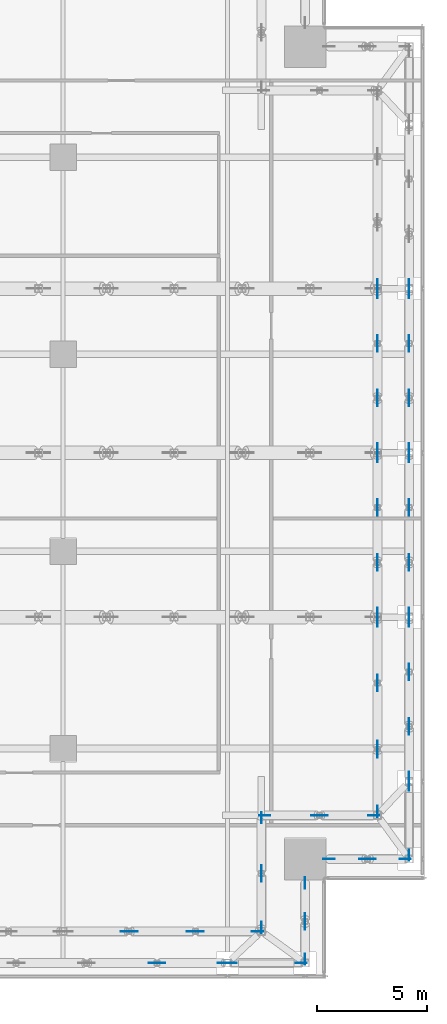
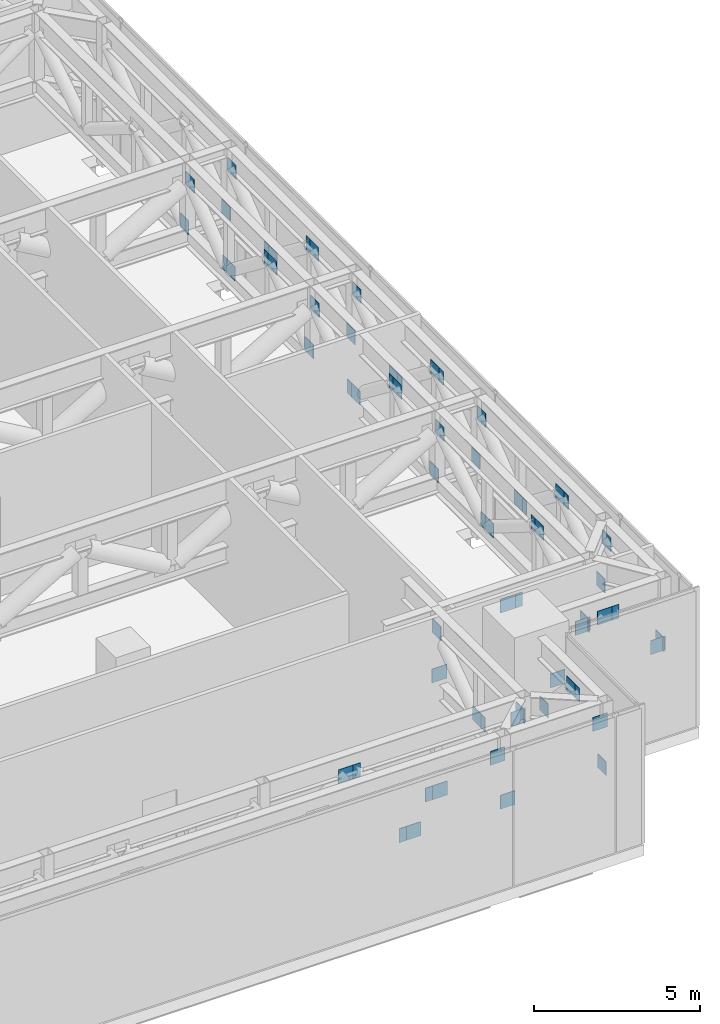
# One storey, part 33 of 36: 66 discrete accessories.
"""IFC4 building model written with IfcOpenShell, lengths in metres."""

from ifc_helpers import new_model, si_unit, direction, frame, origin, origin_2d, place, context, subcontext, project, spatial, rectangle, extrude, source, transform, mapped, material, layer, layer_set, type_object, element, save


model = new_model("IFC4")

# Units and contexts
model_context = context("Model", 3, precision=1e-05, world=origin(), true_north=direction((0.0, 1.0)))
body_context = subcontext(model_context, "Body", "Model", "MODEL_VIEW")
ifc_project = project(units=[si_unit("LENGTHUNIT", "METRE"), si_unit("AREAUNIT", "SQUARE_METRE"), si_unit("VOLUMEUNIT", "CUBIC_METRE"), si_unit("PLANEANGLEUNIT", "RADIAN"), si_unit("MASSUNIT", "GRAM", prefix="KILO")], contexts=[model_context])

# Site, building, storey
site_placement = place(None, origin())
site = spatial("IfcSite", under=ifc_project, at=site_placement, CompositionType="ELEMENT")
building_placement = place(site_placement, origin())
building = spatial("IfcBuilding", under=site, at=building_placement, Name="Khomas Fold Tower", CompositionType="ELEMENT")
storey_placement = place(building_placement, frame((0.0, 0.0, 216.699951171875)))
storey = spatial("IfcBuildingStorey", under=building, at=storey_placement, Name="L48", CompositionType="ELEMENT", Elevation=216.699951171875)

# Discrete accessories
ifc_material = material(Name="Steel S355", Category="steel")
ifc_layer = layer(ifc_material, 0.02490234375)
ifc_layer_set = layer_set([ifc_layer], Name="Steel S355")
discrete_accessory_type = type_object("IfcDiscreteAccessoryType", Name="Gusset plate 25 x 510 GP1", PredefinedType="BRACKET", material=ifc_layer_set)
shared_shape = source(origin(), body_context, "Body", "SweptSolid", [
    extrude(rectangle(XDim=0.510009765625, YDim=0.02490234375, at=origin_2d()), origin(), (0.0, 0.0, 1.0), 0.510009765625),
])
for number, where, z_axis, x_axis, name in (
    (1, (37.3916015625, 5.14990234375, 4.2099609375), (0.0, 0.0, 1.0), (1.0, 0.0, 0.0), "Gusset plate BT3-D"),
    (2, (37.6416015625, 5.14990234375, 4.2099609375), (0.0, 0.0, 1.0), (1.0, 0.0, 0.0), "Gusset plate BT3-D"),
    (3, (38.66064453125, 3.699951171875, 2.47998046875), (0.0, 0.0, 1.0), (1.0, 0.0, 0.0), "Gusset plate BT3-D"),
    (4, (38.91064453125, 3.699951171875, 2.47998046875), (0.0, 0.0, 1.0), (1.0, 0.0, 0.0), "Gusset plate BT3-D"),
    (5, (40.408447265625, 5.14990234375, 2.47998046875), (0.0, 0.0, 1.0), (1.0, 0.0, 0.0), "Gusset plate BT3-D"),
    (6, (40.658447265625, 5.14990234375, 2.47998046875), (0.0, 0.0, 1.0), (1.0, 0.0, 0.0), "Gusset plate BT3-D"),
    (7, (41.824951171875, 3.699951171875, 4.2099609375), (0.0, 0.0, 1.0), (1.0, 0.0, 0.0), "Gusset plate BT3-D"),
    (8, (42.175048828125, 3.699951171875, 2.47998046875), (0.0, 0.0, 1.0), (1.0, 0.0, 0.0), "Gusset plate BT3-DL"),
    (9, (43.375, 5.14990234375, 4.2099609375), (0.0, 0.0, 1.0), (1.0, 0.0, 0.0), "Gusset plate BT3-D"),
    (10, (43.550048828125, 5.324951171875, 4.2099609375), (0.0, 0.0, 1.0), (0.0, 1.0, 0.0), "Gusset plate BT3-D"),
    (11, (43.550048828125, 7.675048828125, 2.47998046875), (0.0, 0.0, 1.0), (0.0, 1.0, 0.0), "Gusset plate BT3-D"),
    (12, (43.550048828125, 7.925048828125, 2.47998046875), (0.0, 0.0, 1.0), (0.0, 1.0, 0.0), "Gusset plate BT3-D"),
    (13, (43.550048828125, 10.335693359375, 4.2099609375), (0.0, 0.0, 1.0), (0.0, 1.0, 0.0), "Gusset plate BT3-D"),
    (14, (43.699951171875, 10.449951171875, 2.47998046875), (0.0, 0.0, 1.0), (1.0, 0.0, 0.0), "Gusset plate BT3-D"),
    (15, (45.375, 3.699951171875, 4.2099609375), (0.0, 0.0, 1.0), (1.0, 0.0, 0.0), "Gusset plate BT3-DL"),
    (16, (45.550048828125, 3.875, 2.47998046875), (0.0, 0.0, 1.0), (0.0, 1.0, 0.0), "Gusset plate BT3-D"),
    (17, (45.550048828125, 5.47509765625, 4.2099609375), (0.0, 0.0, 1.0), (0.0, 1.0, 0.0), "Gusset plate BT3-D"),
    (18, (45.550048828125, 5.72509765625, 4.2099609375), (0.0, 0.0, 1.0), (0.0, 1.0, 0.0), "Gusset plate BT3-D"),
    (19, (45.550048828125, 7.358642578125, 2.47998046875), (0.0, 0.0, 1.0), (0.0, 1.0, 0.0), "Gusset plate BT3-D"),
    (20, (46.074951171875, 10.449951171875, 4.2099609375), (0.0, 0.0, 1.0), (1.0, 0.0, 0.0), "Gusset plate BT3-D"),
    (21, (46.324951171875, 10.449951171875, 4.2099609375), (0.0, 0.0, 1.0), (1.0, 0.0, 0.0), "Gusset plate BT3-D"),
    (22, (46.641357421875, 8.449951171875, 2.47998046875), (0.0, 0.0, 1.0), (1.0, 0.0, 0.0), "Gusset plate BT3-D"),
    (23, (48.27490234375, 8.449951171875, 4.2099609375), (0.0, 0.0, 1.0), (1.0, 0.0, 0.0), "Gusset plate BT3-D"),
    (24, (48.52490234375, 8.449951171875, 4.2099609375), (0.0, 0.0, 1.0), (1.0, 0.0, 0.0), "Gusset plate BT3-D"),
    (25, (48.675048828125, 10.449951171875, 2.47998046875), (0.0, 0.0, 1.0), (1.0, 0.0, 0.0), "Gusset plate BT3-D"),
    (26, (48.85009765625, 10.625, 2.47998046875), (0.0, 0.0, 1.0), (0.0, 1.0, 0.0), "Gusset plate BT3-D"),
    (27, (48.85009765625, 13.341552734375, 4.2099609375), (0.0, 0.0, 1.0), (0.0, 1.0, 0.0), "Gusset plate BT3-D"),
    (28, (48.85009765625, 13.591552734375, 4.2099609375), (0.0, 0.0, 1.0), (0.0, 1.0, 0.0), "Gusset plate BT3-D"),
    (29, (48.85009765625, 16.3583984375, 2.47998046875), (0.0, 0.0, 1.0), (0.0, 1.0, 0.0), "Gusset plate BT3-D"),
    (30, (48.85009765625, 16.6083984375, 2.47998046875), (0.0, 0.0, 1.0), (0.0, 1.0, 0.0), "Gusset plate BT3-D"),
    (31, (48.85009765625, 19.324951171875, 4.2099609375), (0.0, 0.0, 1.0), (0.0, 1.0, 0.0), "Gusset plate BT3-D"),
    (32, (48.85009765625, 19.675048828125, 2.47998046875), (0.0, 0.0, 1.0), (0.0, 1.0, 0.0), "Gusset plate BT3-D"),
    (33, (48.85009765625, 21.875, 4.2099609375), (0.0, 0.0, 1.0), (0.0, 1.0, 0.0), "Gusset plate BT3-D"),
    (34, (48.85009765625, 22.125, 4.2099609375), (0.0, 0.0, 1.0), (0.0, 1.0, 0.0), "Gusset plate BT3-D"),
    (35, (48.85009765625, 24.375, 2.47998046875), (0.0, 0.0, 1.0), (0.0, 1.0, 0.0), "Gusset plate BT3-D"),
    (36, (48.85009765625, 24.625, 2.47998046875), (0.0, 0.0, 1.0), (0.0, 1.0, 0.0), "Gusset plate BT3-D"),
    (37, (48.85009765625, 26.824951171875, 4.2099609375), (0.0, 0.0, 1.0), (0.0, 1.0, 0.0), "Gusset plate BT3-D"),
    (38, (48.85009765625, 27.175048828125, 2.47998046875), (0.0, 0.0, 1.0), (0.0, 1.0, 0.0), "Gusset plate BT3-D"),
    (39, (48.85009765625, 29.375, 4.2099609375), (0.0, 0.0, 1.0), (0.0, 1.0, 0.0), "Gusset plate BT3-D"),
    (40, (48.85009765625, 29.625, 4.2099609375), (0.0, 0.0, 1.0), (0.0, 1.0, 0.0), "Gusset plate BT3-D"),
    (41, (48.85009765625, 31.875, 2.47998046875), (0.0, 0.0, 1.0), (0.0, 1.0, 0.0), "Gusset plate BT3-D"),
    (42, (48.85009765625, 32.125, 2.47998046875), (0.0, 0.0, 1.0), (0.0, 1.0, 0.0), "Gusset plate BT3-D"),
    (43, (48.85009765625, 34.324951171875, 4.2099609375), (0.0, 0.0, 1.0), (0.0, 1.0, 0.0), "Gusset plate BT3-D"),
    (44, (48.85009765625, 34.675048828125, 2.47998046875), (0.0, 0.0, 1.0), (0.0, 1.0, 0.0), "Gusset plate BT3-D"),
    (45, (50.125, 8.449951171875, 2.47998046875), (0.0, 0.0, 1.0), (1.0, 0.0, 0.0), "Gusset plate BT3-D"),
    (46, (50.300048828125, 8.625, 2.47998046875), (0.0, 0.0, 1.0), (0.0, 1.0, 0.0), "Gusset plate BT3-DL"),
    (47, (50.300048828125, 11.824951171875, 4.2099609375), (0.0, 0.0, 1.0), (0.0, 1.0, 0.0), "Gusset plate BT3-DL"),
    (48, (50.300048828125, 12.175048828125, 2.47998046875), (0.0, 0.0, 1.0), (0.0, 1.0, 0.0), "Gusset plate BT3-D"),
    (49, (50.300048828125, 14.375, 4.2099609375), (0.0, 0.0, 1.0), (0.0, 1.0, 0.0), "Gusset plate BT3-D"),
    (50, (50.300048828125, 14.625, 4.2099609375), (0.0, 0.0, 1.0), (0.0, 1.0, 0.0), "Gusset plate BT3-D"),
    (51, (50.300048828125, 16.875, 2.47998046875), (0.0, 0.0, 1.0), (0.0, 1.0, 0.0), "Gusset plate BT3-D"),
    (52, (50.300048828125, 17.125, 2.47998046875), (0.0, 0.0, 1.0), (0.0, 1.0, 0.0), "Gusset plate BT3-D"),
    (53, (50.300048828125, 19.324951171875, 4.2099609375), (0.0, 0.0, 1.0), (0.0, 1.0, 0.0), "Gusset plate BT3-D"),
    (54, (50.300048828125, 19.675048828125, 2.47998046875), (0.0, 0.0, 1.0), (0.0, 1.0, 0.0), "Gusset plate BT3-D"),
    (55, (50.300048828125, 21.875, 4.2099609375), (0.0, 0.0, 1.0), (0.0, 1.0, 0.0), "Gusset plate BT3-D"),
    (56, (50.300048828125, 22.125, 4.2099609375), (0.0, 0.0, 1.0), (0.0, 1.0, 0.0), "Gusset plate BT3-D"),
    (57, (50.300048828125, 24.375, 2.47998046875), (0.0, 0.0, 1.0), (0.0, 1.0, 0.0), "Gusset plate BT3-D"),
    (58, (50.300048828125, 24.625, 2.47998046875), (0.0, 0.0, 1.0), (0.0, 1.0, 0.0), "Gusset plate BT3-D"),
    (59, (50.300048828125, 26.824951171875, 4.2099609375), (0.0, 0.0, 1.0), (0.0, 1.0, 0.0), "Gusset plate BT3-D"),
    (60, (50.300048828125, 27.175048828125, 2.47998046875), (0.0, 0.0, 1.0), (0.0, 1.0, 0.0), "Gusset plate BT3-D"),
    (61, (50.300048828125, 29.375, 4.2099609375), (0.0, 0.0, 1.0), (0.0, 1.0, 0.0), "Gusset plate BT3-D"),
    (62, (50.300048828125, 29.625, 4.2099609375), (0.0, 0.0, 1.0), (0.0, 1.0, 0.0), "Gusset plate BT3-D"),
    (63, (50.300048828125, 31.875, 2.47998046875), (0.0, 0.0, 1.0), (0.0, 1.0, 0.0), "Gusset plate BT3-D"),
    (64, (50.300048828125, 32.125, 2.47998046875), (0.0, 0.0, 1.0), (0.0, 1.0, 0.0), "Gusset plate BT3-D"),
    (65, (50.300048828125, 34.324951171875, 4.2099609375), (0.0, 0.0, 1.0), (0.0, 1.0, 0.0), "Gusset plate BT3-D"),
    (66, (50.300048828125, 34.675048828125, 2.47998046875), (0.0, 0.0, 1.0), (0.0, 1.0, 0.0), "Gusset plate BT3-D"),
):
    element("IfcDiscreteAccessory", number, at=place(storey_placement, frame(where, z_axis=z_axis, x_axis=x_axis)), inside=storey, type_object=discrete_accessory_type, Name=name, PredefinedType="BRACKET", context=body_context, shape_type="MappedRepresentation", body=[
        mapped(shared_shape, transform((0.0, 0.0, 0.0))),
    ])

save(model, "model.ifc")
